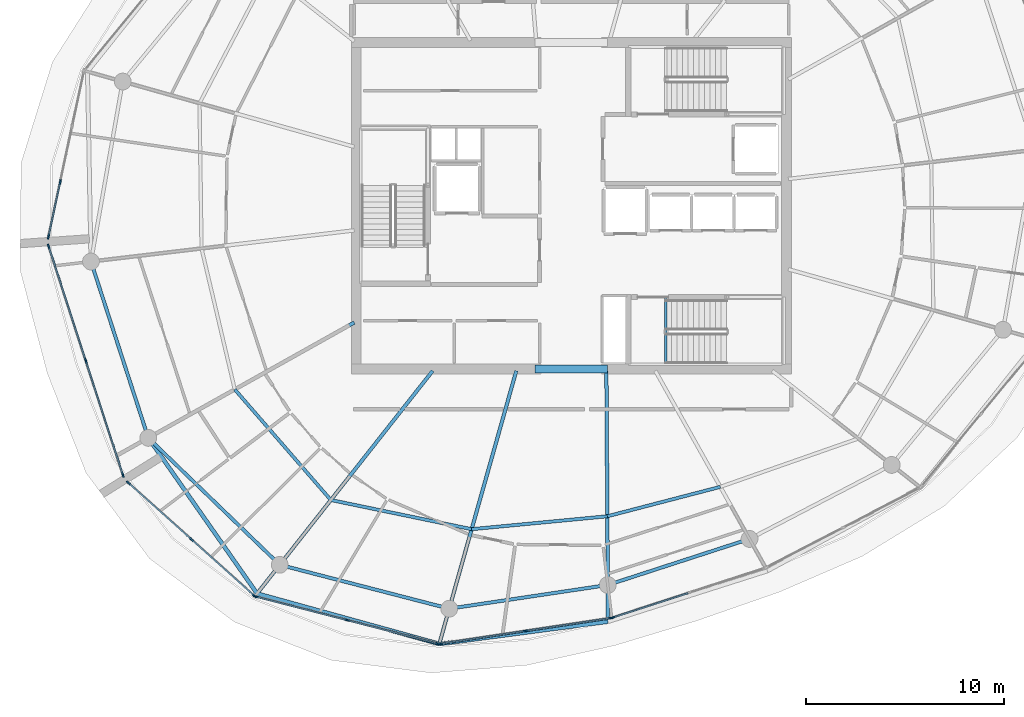
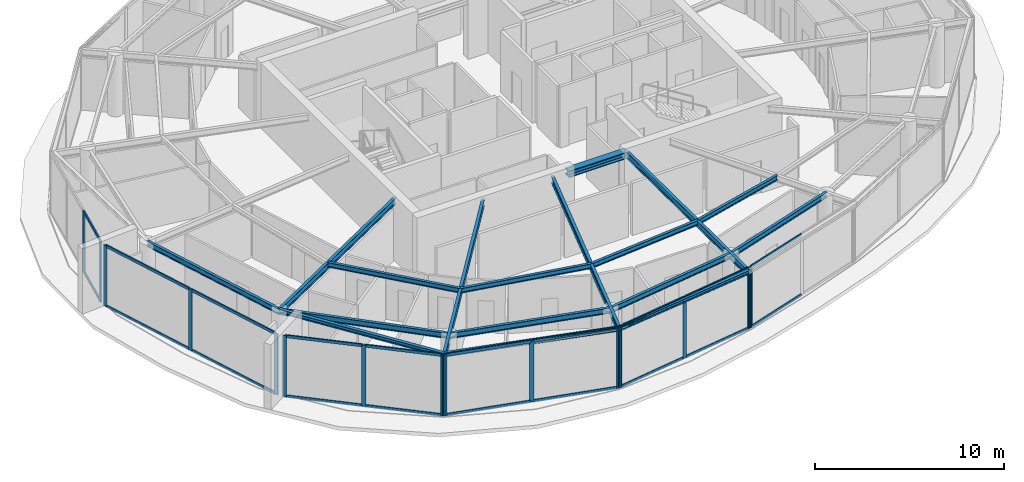
# One storey, part 5 of 16: 35 members, 18 beams, 6 elements without a shape of their own.
"""IFC4 building model written with IfcOpenShell, lengths in metres."""

from ifc_helpers import new_model, si_unit, direction, frame, origin, origin_2d, place, context, subcontext, project, spatial, rectangle, i_section, extrude, material, layer, layer_set, material_profile, profile_set, type_object, element, aggregate, save


model = new_model("IFC4")

# Units and contexts
model_context = context("Model", 3, precision=1e-05, world=origin(), true_north=direction((0.0, 1.0)))
body_context = subcontext(model_context, "Body", "Model", "MODEL_VIEW")
ifc_project = project(units=[si_unit("LENGTHUNIT", "METRE"), si_unit("AREAUNIT", "SQUARE_METRE"), si_unit("VOLUMEUNIT", "CUBIC_METRE"), si_unit("PLANEANGLEUNIT", "RADIAN"), si_unit("MASSUNIT", "GRAM", prefix="KILO")], contexts=[model_context])

# Site, building, storey
site_placement = place(None, origin())
site = spatial("IfcSite", under=ifc_project, at=site_placement, CompositionType="ELEMENT")
building_placement = place(site_placement, origin())
building = spatial("IfcBuilding", under=site, at=building_placement, Name="Kazma Halo Residences", CompositionType="ELEMENT")
storey_placement = place(building_placement, frame((0.0, 0.0, 313.699951171875)))
storey = spatial("IfcBuildingStorey", under=building, at=storey_placement, Name="L79", CompositionType="ELEMENT", Elevation=313.699951171875)

# Beams
ifc_material_1 = material(Name="Steel S355", Category="steel")
ifc_material_profile_1 = material_profile(ifc_material_1, i_section(OverallWidth=0.201904296875, OverallDepth=0.2470703125, WebThickness=0.00732421875, FlangeThickness=0.010986328125, FilletRadius=0.011962890625, at=origin_2d()), Name="W250x49.1")
ifc_profile_set_1 = profile_set([ifc_material_profile_1], Name="Steel S355")
beam_type_1 = type_object("IfcBeamType", Name="BM-BAL-CANT", PredefinedType="BEAM", material=ifc_profile_set_1)
beam_1_placement = place(storey_placement, frame((27.03662109375, 30.260009765625, 3.816650390625), z_axis=(0.572873629847, -0.819643705659, 0.0), x_axis=(0.819643705659, 0.572873629847, 0.0)))
element("IfcBeam", 1, at=beam_1_placement, inside=storey, type_object=beam_type_1, Name="L79 wave-balcony lead tie beam 09", PredefinedType="BEAM", context=body_context, shape_type="SweptSolid", body=[
    extrude(i_section(OverallWidth=0.201904296875, OverallDepth=0.2470703125, WebThickness=0.00732421875, FlangeThickness=0.010986328125, FilletRadius=0.011962890625, at=origin_2d()), origin(), (0.0, 0.0, 1.0), 9.6044921875),
])
beam_2_placement = place(storey_placement, frame((32.538818359375, 22.3876953125, 3.816650390625), z_axis=(0.96390336926, -0.266252314035, 0.0), x_axis=(0.266252314035, 0.96390336926, 0.0)))
element("IfcBeam", 2, at=beam_2_placement, inside=storey, type_object=beam_type_1, Name="L79 wave-balcony tie beam 10", PredefinedType="BEAM", context=body_context, shape_type="SweptSolid", body=[
    extrude(i_section(OverallWidth=0.201904296875, OverallDepth=0.2470703125, WebThickness=0.00732421875, FlangeThickness=0.010986328125, FilletRadius=0.011962890625, at=origin_2d()), origin(), (0.0, 0.0, 1.0), 9.557373046875),
])
beam_3_placement = place(storey_placement, frame((41.751220703125, 19.843017578125, 3.816650390625), z_axis=(0.991375702229, 0.13105043697, 0.0), x_axis=(-0.13105043697, 0.991375702229, 0.0)))
element("IfcBeam", 3, at=beam_3_placement, inside=storey, type_object=beam_type_1, Name="L79 wave-balcony tie beam 11", PredefinedType="BEAM", context=body_context, shape_type="SweptSolid", body=[
    extrude(i_section(OverallWidth=0.201904296875, OverallDepth=0.2470703125, WebThickness=0.00732421875, FlangeThickness=0.010986328125, FilletRadius=0.011962890625, at=origin_2d()), origin(), (0.0, 0.0, 1.0), 8.60498046875),
])
ifc_material_profile_2 = material_profile(ifc_material_1, i_section(OverallWidth=0.408935546875, OverallDepth=0.425048828125, WebThickness=0.03271484375, FlangeThickness=0.052490234375, FilletRadius=0.02001953125, at=origin_2d()), Name="W360x421")
ifc_profile_set_2 = profile_set([ifc_material_profile_2], Name="Steel S355")
beam_type_2 = type_object("IfcBeamType", Name="BM-CORE-W360H", PredefinedType="BEAM", material=ifc_profile_set_2)
beam_4_placement = place(storey_placement, frame((46.60009765625, 33.75, 3.7275390625), z_axis=(1.0, 0.0, 0.0), x_axis=(0.0, 1.0, 0.0)))
element("IfcBeam", 4, at=beam_4_placement, inside=storey, type_object=beam_type_2, Name="L79 core coupling beam S", PredefinedType="BEAM", context=body_context, shape_type="SweptSolid", body=[
    extrude(i_section(OverallWidth=0.408935546875, OverallDepth=0.425048828125, WebThickness=0.03271484375, FlangeThickness=0.052490234375, FilletRadius=0.02001953125, at=origin_2d()), origin(), (0.0, 0.0, 1.0), 3.64990234375),
])
ifc_material_profile_3 = material_profile(ifc_material_1, i_section(OverallWidth=0.177978515625, OverallDepth=0.406982421875, WebThickness=0.0078125, FlangeThickness=0.0126953125, FilletRadius=0.013916015625, at=origin_2d()), Name="W410x60")
ifc_profile_set_3 = profile_set([ifc_material_profile_3], Name="Steel S355")
beam_type_3 = type_object("IfcBeamType", Name="BM-RAD-W410", PredefinedType="BEAM", material=ifc_profile_set_3)
beam_5_placement = place(storey_placement, frame((37.449951171875, 36.091796875, 3.736572265625), z_axis=(-0.872494504737, -0.4886239241, 0.0), x_axis=(0.4886239241, -0.872494504737, 0.0)))
element("IfcBeam", 5, at=beam_5_placement, inside=storey, type_object=beam_type_3, Name="L79 radial floor beam 09", PredefinedType="BEAM", context=body_context, shape_type="SweptSolid", body=[
    extrude(i_section(OverallWidth=0.177978515625, OverallDepth=0.406982421875, WebThickness=0.0078125, FlangeThickness=0.0126953125, FilletRadius=0.013916015625, at=origin_2d()), origin(), (0.0, 0.0, 1.0), 11.93505859375),
])
beam_6_placement = place(storey_placement, frame((41.41748046875, 33.64990234375, 3.736572265625), z_axis=(-0.61910487104, -0.78530832076, 0.0), x_axis=(0.78530832076, -0.61910487104, 0.0)))
element("IfcBeam", 6, at=beam_6_placement, inside=storey, type_object=beam_type_3, Name="L79 radial floor beam 10", PredefinedType="BEAM", context=body_context, shape_type="SweptSolid", body=[
    extrude(i_section(OverallWidth=0.177978515625, OverallDepth=0.406982421875, WebThickness=0.0078125, FlangeThickness=0.0126953125, FilletRadius=0.013916015625, at=origin_2d()), origin(), (0.0, 0.0, 1.0), 14.341064453125),
])
beam_7_placement = place(storey_placement, frame((45.64501953125, 33.64990234375, 3.736572265625), z_axis=(-0.271431061075, -0.962457884317, 0.0), x_axis=(0.962457884317, -0.271431061075, 0.0)))
element("IfcBeam", 7, at=beam_7_placement, inside=storey, type_object=beam_type_3, Name="L79 radial floor beam 11", PredefinedType="BEAM", context=body_context, shape_type="SweptSolid", body=[
    extrude(i_section(OverallWidth=0.177978515625, OverallDepth=0.406982421875, WebThickness=0.0078125, FlangeThickness=0.0126953125, FilletRadius=0.013916015625, at=origin_2d()), origin(), (0.0, 0.0, 1.0), 14.345458984375),
])
beam_8_placement = place(storey_placement, frame((50.199951171875, 33.64990234375, 3.736572265625), z_axis=(0.006469614667, -0.999979071824, 0.0), x_axis=(0.999979071824, 0.006469614667, 0.0)))
element("IfcBeam", 8, at=beam_8_placement, inside=storey, type_object=beam_type_3, Name="L79 radial floor beam 12", PredefinedType="BEAM", context=body_context, shape_type="SweptSolid", body=[
    extrude(i_section(OverallWidth=0.177978515625, OverallDepth=0.406982421875, WebThickness=0.0078125, FlangeThickness=0.0126953125, FilletRadius=0.013916015625, at=origin_2d()), origin(), (0.0, 0.0, 1.0), 12.679443359375),
])
ifc_material_profile_4 = material_profile(ifc_material_1, i_section(OverallWidth=0.1650390625, OverallDepth=0.31005859375, WebThickness=0.005859375, FlangeThickness=0.009765625, FilletRadius=0.011962890625, at=origin_2d()), Name="W310x38.7")
ifc_profile_set_4 = profile_set([ifc_material_profile_4], Name="Steel S355")
beam_type_4 = type_object("IfcBeamType", Name="BM-SEC-W310B", PredefinedType="JOIST", material=ifc_profile_set_4)
beam_9_placement = place(storey_placement, frame((31.410400390625, 32.709228515625, 3.78515625), z_axis=(0.655826094878, -0.754912003664, 0.0), x_axis=(0.754912003664, 0.655826094878, 0.0)))
element("IfcBeam", 9, at=beam_9_placement, inside=storey, type_object=beam_type_4, Name="L79 circumferential floor joist 09", PredefinedType="JOIST", context=body_context, shape_type="SweptSolid", body=[
    extrude(i_section(OverallWidth=0.1650390625, OverallDepth=0.31005859375, WebThickness=0.005859375, FlangeThickness=0.009765625, FilletRadius=0.011962890625, at=origin_2d()), origin(), (0.0, 0.0, 1.0), 7.406494140625),
])
beam_10_placement = place(storey_placement, frame((36.267822265625, 27.117919921875, 3.78515625), z_axis=(0.979179702308, -0.202995346221, 0.0), x_axis=(0.202995346221, 0.979179702308, 0.0)))
element("IfcBeam", 10, at=beam_10_placement, inside=storey, type_object=beam_type_4, Name="L79 circumferential floor joist 10", PredefinedType="JOIST", context=body_context, shape_type="SweptSolid", body=[
    extrude(i_section(OverallWidth=0.1650390625, OverallDepth=0.31005859375, WebThickness=0.005859375, FlangeThickness=0.009765625, FilletRadius=0.011962890625, at=origin_2d()), origin(), (0.0, 0.0, 1.0), 7.270263671875),
])
beam_11_placement = place(storey_placement, frame((43.38671875, 25.64208984375, 3.78515625), z_axis=(0.99549005784, 0.094865930357, 0.0), x_axis=(-0.094865930357, 0.99549005784, 0.0)))
element("IfcBeam", 11, at=beam_11_placement, inside=storey, type_object=beam_type_4, Name="L79 circumferential floor joist 11", PredefinedType="JOIST", context=body_context, shape_type="SweptSolid", body=[
    extrude(i_section(OverallWidth=0.1650390625, OverallDepth=0.31005859375, WebThickness=0.005859375, FlangeThickness=0.009765625, FilletRadius=0.011962890625, at=origin_2d()), origin(), (0.0, 0.0, 1.0), 6.891845703125),
])
beam_12_placement = place(storey_placement, frame((50.24755859375, 26.2958984375, 3.78515625), z_axis=(0.967744924062, 0.251932058206, 0.0), x_axis=(-0.251932058206, 0.967744924062, 0.0)))
element("IfcBeam", 12, at=beam_12_placement, inside=storey, type_object=beam_type_4, Name="L79 circumferential floor joist 12", PredefinedType="JOIST", context=body_context, shape_type="SweptSolid", body=[
    extrude(i_section(OverallWidth=0.1650390625, OverallDepth=0.31005859375, WebThickness=0.005859375, FlangeThickness=0.009765625, FilletRadius=0.011962890625, at=origin_2d()), origin(), (0.0, 0.0, 1.0), 5.904541015625),
])
ifc_material_profile_5 = material_profile(ifc_material_1, i_section(OverallWidth=0.1708984375, OverallDepth=0.35498046875, WebThickness=0.007080078125, FlangeThickness=0.01171875, FilletRadius=0.013916015625, at=origin_2d()), Name="W360x51")
ifc_profile_set_5 = profile_set([ifc_material_profile_5], Name="Steel S355")
beam_type_5 = type_object("IfcBeamType", Name="BM-SPN-W360", PredefinedType="BEAM", material=ifc_profile_set_5)
beam_13_placement = place(storey_placement, frame((24.1396484375, 39.17578125, 3.762451171875), z_axis=(0.309023062674, -0.951054544564, 0.0), x_axis=(0.951054544564, 0.309023062674, 0.0)))
element("IfcBeam", 13, at=beam_13_placement, inside=storey, type_object=beam_type_5, Name="L79 perimeter ring beam 08", PredefinedType="BEAM", context=body_context, shape_type="SweptSolid", body=[
    extrude(i_section(OverallWidth=0.1708984375, OverallDepth=0.35498046875, WebThickness=0.007080078125, FlangeThickness=0.01171875, FilletRadius=0.013916015625, at=origin_2d()), origin(), (0.0, 0.0, 1.0), 9.37451171875),
])
beam_14_placement = place(storey_placement, frame((27.03662109375, 30.260009765625, 3.762451171875), z_axis=(0.71933681628, -0.694661460529, 0.0), x_axis=(0.694661460529, 0.71933681628, 0.0)))
element("IfcBeam", 14, at=beam_14_placement, inside=storey, type_object=beam_type_5, Name="L79 perimeter ring beam 09", PredefinedType="BEAM", context=body_context, shape_type="SweptSolid", body=[
    extrude(i_section(OverallWidth=0.1708984375, OverallDepth=0.35498046875, WebThickness=0.007080078125, FlangeThickness=0.01171875, FilletRadius=0.013916015625, at=origin_2d()), origin(), (0.0, 0.0, 1.0), 9.2412109375),
])
beam_15_placement = place(storey_placement, frame((33.68408203125, 23.840576171875, 3.762451171875), z_axis=(0.968124082793, -0.250471076805, 0.0), x_axis=(0.250471076805, 0.968124082793, 0.0)))
element("IfcBeam", 15, at=beam_15_placement, inside=storey, type_object=beam_type_5, Name="L79 perimeter ring beam 10", PredefinedType="BEAM", context=body_context, shape_type="SweptSolid", body=[
    extrude(i_section(OverallWidth=0.1708984375, OverallDepth=0.35498046875, WebThickness=0.007080078125, FlangeThickness=0.01171875, FilletRadius=0.013916015625, at=origin_2d()), origin(), (0.0, 0.0, 1.0), 8.8515625),
])
beam_16_placement = place(storey_placement, frame((42.25341796875, 21.62353515625, 3.762451171875), z_axis=(0.989030710595, 0.147710031817, 0.0), x_axis=(-0.147710031817, 0.989030710595, 0.0)))
element("IfcBeam", 16, at=beam_16_placement, inside=storey, type_object=beam_type_5, Name="L79 perimeter ring beam 11", PredefinedType="BEAM", context=body_context, shape_type="SweptSolid", body=[
    extrude(i_section(OverallWidth=0.1708984375, OverallDepth=0.35498046875, WebThickness=0.007080078125, FlangeThickness=0.01171875, FilletRadius=0.013916015625, at=origin_2d()), origin(), (0.0, 0.0, 1.0), 8.10546875),
])
beam_17_placement = place(storey_placement, frame((50.27001953125, 22.82080078125, 3.762451171875), z_axis=(0.951056684666, 0.309016476183, 0.0), x_axis=(-0.309016476183, 0.951056684666, 0.0)))
element("IfcBeam", 17, at=beam_17_placement, inside=storey, type_object=beam_type_5, Name="L79 perimeter ring beam 12", PredefinedType="BEAM", context=body_context, shape_type="SweptSolid", body=[
    extrude(i_section(OverallWidth=0.1708984375, OverallDepth=0.35498046875, WebThickness=0.007080078125, FlangeThickness=0.01171875, FilletRadius=0.013916015625, at=origin_2d()), origin(), (0.0, 0.0, 1.0), 7.53564453125),
])
ifc_material_profile_6 = material_profile(ifc_material_1, i_section(OverallWidth=0.133056640625, OverallDepth=0.20703125, WebThickness=0.005859375, FlangeThickness=0.00830078125, FilletRadius=0.010009765625, at=origin_2d()), Name="W200x26.6")
ifc_profile_set_6 = profile_set([ifc_material_profile_6], Name="Steel S355")
beam_type_6 = type_object("IfcBeamType", Name="BM-TRIM-W200", PredefinedType="BEAM", material=ifc_profile_set_6)
beam_18_placement = place(storey_placement, frame((53.199951171875, 34.0, -0.510009765625), z_axis=(0.0, 1.0, 0.0), x_axis=(-1.0, 0.0, 0.0)))
element("IfcBeam", 18, at=beam_18_placement, inside=storey, type_object=beam_type_6, Name="L79 ST-03 floor landing support beam", PredefinedType="BEAM", context=body_context, shape_type="SweptSolid", body=[
    extrude(i_section(OverallWidth=0.133056640625, OverallDepth=0.20703125, WebThickness=0.005859375, FlangeThickness=0.00830078125, FilletRadius=0.010009765625, at=origin_2d()), origin(), (0.0, 0.0, 1.0), 3.3798828125),
])

# Curtain wall, members
ifc_material_2 = material(Name="Aluminium AW-6063 T6 and Triple-Silver Low-E Glass", Category="aluminium")
ifc_layer = layer(ifc_material_2, 0.239990234375)
ifc_layer_set = layer_set([ifc_layer], Name="Aluminium AW-6063 T6 and Triple-Silver Low-E Glass")
curtain_wall_type = type_object("IfcCurtainWallType", Name="CW-SYS-6", PredefinedType="NOTDEFINED", material=ifc_layer_set)
curtain_wall_1_placement = place(storey_placement, origin())
curtain_wall_1 = element("IfcCurtainWall", 19, at=curtain_wall_1_placement, inside=storey, type_object=curtain_wall_type, Name="L79 unitised curtain wall B07", PredefinedType="NOTDEFINED")
ifc_material_3 = material(Name="Aluminium AW-6063 T6", Category="aluminium")
ifc_material_profile_7 = material_profile(ifc_material_3, rectangle(XDim=0.080078125, YDim=0.239990234375, at=origin_2d()), Name="CWM-80x240")
ifc_profile_set_7 = profile_set([ifc_material_profile_7], Name="Aluminium AW-6063 T6")
member_type_1 = type_object("IfcMemberType", Name="CW-SYS-6-MUL", PredefinedType="MULLION", material=ifc_profile_set_7)
member_1_placement = place(storey_placement, frame((22.58544921875, 43.19970703125, 0.0), z_axis=(0.0, 0.0, 1.0), x_axis=(0.977760865363, -0.209722888986, 0.0)))
member_1 = element("IfcMember", 20, at=member_1_placement, type_object=member_type_1, Name="CWS-6 mullion 3", PredefinedType="MULLION", context=body_context, shape_type="SweptSolid", body=[
    extrude(rectangle(XDim=0.080078125, YDim=0.239990234375, at=origin_2d()), origin(), (0.0, 0.0, 1.0), 3.93994140625),
])
member_2_placement = place(storey_placement, frame((21.990234375, 40.425048828125, 0.0), z_axis=(0.0, 0.0, 1.0), x_axis=(0.977760865363, -0.209722888986, 0.0)))
member_2 = element("IfcMember", 21, at=member_2_placement, type_object=member_type_1, Name="CWS-6 mullion 4", PredefinedType="MULLION", context=body_context, shape_type="SweptSolid", body=[
    extrude(rectangle(XDim=0.080078125, YDim=0.239990234375, at=origin_2d()), origin(), (0.0, 0.0, 1.0), 3.93994140625),
])

curtain_wall_2_placement = place(storey_placement, origin())
curtain_wall_2 = element("IfcCurtainWall", 22, at=curtain_wall_2_placement, inside=storey, type_object=curtain_wall_type, Name="L79 unitised curtain wall B08", PredefinedType="NOTDEFINED")
member_3_placement = place(storey_placement, frame((22.0009765625, 39.937744140625, 0.0), z_axis=(0.0, 0.0, 1.0), x_axis=(0.951055886462, 0.309018932797, 0.0)))
member_3 = element("IfcMember", 23, at=member_3_placement, type_object=member_type_1, Name="CWS-6 mullion 1", PredefinedType="MULLION", context=body_context, shape_type="SweptSolid", body=[
    extrude(rectangle(XDim=0.080078125, YDim=0.239990234375, at=origin_2d()), origin(), (0.0, 0.0, 1.0), 3.93994140625),
])
member_4_placement = place(storey_placement, frame((23.87744140625, 34.162109375, 0.0), z_axis=(0.0, 0.0, 1.0), x_axis=(0.951055886462, 0.309018932797, 0.0)))
member_4 = element("IfcMember", 24, at=member_4_placement, type_object=member_type_1, Name="CWS-6 mullion 2", PredefinedType="MULLION", context=body_context, shape_type="SweptSolid", body=[
    extrude(rectangle(XDim=0.080078125, YDim=0.239990234375, at=origin_2d()), origin(), (0.0, 0.0, 1.0), 3.93994140625),
])
member_5_placement = place(storey_placement, frame((25.754150390625, 28.38671875, 0.0), z_axis=(0.0, 0.0, 1.0), x_axis=(0.951055886462, 0.309018932797, 0.0)))
member_5 = element("IfcMember", 25, at=member_5_placement, type_object=member_type_1, Name="CWS-6 mullion 3", PredefinedType="MULLION", context=body_context, shape_type="SweptSolid", body=[
    extrude(rectangle(XDim=0.080078125, YDim=0.239990234375, at=origin_2d()), origin(), (0.0, 0.0, 1.0), 3.93994140625),
])

curtain_wall_3_placement = place(storey_placement, origin())
curtain_wall_3 = element("IfcCurtainWall", 26, at=curtain_wall_3_placement, inside=storey, type_object=curtain_wall_type, Name="L79 unitised curtain wall B09", PredefinedType="NOTDEFINED")
member_6_placement = place(storey_placement, frame((26.031982421875, 27.986083984375, 0.0), z_axis=(0.0, 0.0, 1.0), x_axis=(0.667757559118, 0.744378829791, 0.0)))
member_6 = element("IfcMember", 27, at=member_6_placement, type_object=member_type_1, Name="CWS-6 mullion 1", PredefinedType="MULLION", context=body_context, shape_type="SweptSolid", body=[
    extrude(rectangle(XDim=0.080078125, YDim=0.239990234375, at=origin_2d()), origin(), (0.0, 0.0, 1.0), 3.93994140625),
])
member_7_placement = place(storey_placement, frame((29.21533203125, 25.13037109375, 0.0), z_axis=(0.0, 0.0, 1.0), x_axis=(0.667757559118, 0.744378829791, 0.0)))
member_7 = element("IfcMember", 28, at=member_7_placement, type_object=member_type_1, Name="CWS-6 mullion 2", PredefinedType="MULLION", context=body_context, shape_type="SweptSolid", body=[
    extrude(rectangle(XDim=0.080078125, YDim=0.239990234375, at=origin_2d()), origin(), (0.0, 0.0, 1.0), 3.93994140625),
])
member_8_placement = place(storey_placement, frame((32.39892578125, 22.2744140625, 0.0), z_axis=(0.0, 0.0, 1.0), x_axis=(0.667757559118, 0.744378829791, 0.0)))
member_8 = element("IfcMember", 29, at=member_8_placement, type_object=member_type_1, Name="CWS-6 mullion 3", PredefinedType="MULLION", context=body_context, shape_type="SweptSolid", body=[
    extrude(rectangle(XDim=0.080078125, YDim=0.239990234375, at=origin_2d()), origin(), (0.0, 0.0, 1.0), 3.93994140625),
])

curtain_wall_4_placement = place(storey_placement, origin())
curtain_wall_4 = element("IfcCurtainWall", 30, at=curtain_wall_4_placement, inside=storey, type_object=curtain_wall_type, Name="L79 unitised curtain wall B10", PredefinedType="NOTDEFINED")
member_9_placement = place(storey_placement, frame((32.46728515625, 22.23779296875, 0.0), z_axis=(0.0, 0.0, 1.0), x_axis=(0.249445747416, 0.968388774768, 0.0)))
member_9 = element("IfcMember", 31, at=member_9_placement, type_object=member_type_1, Name="CWS-6 mullion 1", PredefinedType="MULLION", context=body_context, shape_type="SweptSolid", body=[
    extrude(rectangle(XDim=0.080078125, YDim=0.239990234375, at=origin_2d()), origin(), (0.0, 0.0, 1.0), 3.93994140625),
])
member_10_placement = place(storey_placement, frame((37.09033203125, 21.047119140625, 0.0), z_axis=(0.0, 0.0, 1.0), x_axis=(0.249445747416, 0.968388774768, 0.0)))
member_10 = element("IfcMember", 32, at=member_10_placement, type_object=member_type_1, Name="CWS-6 mullion 2", PredefinedType="MULLION", context=body_context, shape_type="SweptSolid", body=[
    extrude(rectangle(XDim=0.080078125, YDim=0.239990234375, at=origin_2d()), origin(), (0.0, 0.0, 1.0), 3.93994140625),
])
member_11_placement = place(storey_placement, frame((41.71337890625, 19.856201171875, 0.0), z_axis=(0.0, 0.0, 1.0), x_axis=(0.249445747416, 0.968388774768, 0.0)))
member_11 = element("IfcMember", 33, at=member_11_placement, type_object=member_type_1, Name="CWS-6 mullion 3", PredefinedType="MULLION", context=body_context, shape_type="SweptSolid", body=[
    extrude(rectangle(XDim=0.080078125, YDim=0.239990234375, at=origin_2d()), origin(), (0.0, 0.0, 1.0), 3.93994140625),
])

curtain_wall_5_placement = place(storey_placement, origin())
curtain_wall_5 = element("IfcCurtainWall", 34, at=curtain_wall_5_placement, inside=storey, type_object=curtain_wall_type, Name="L79 unitised curtain wall B11", PredefinedType="NOTDEFINED")
member_12_placement = place(storey_placement, frame((41.79150390625, 19.85205078125, 0.0), z_axis=(0.0, 0.0, 1.0), x_axis=(-0.148870876743, 0.988856643836, 0.0)))
member_12 = element("IfcMember", 35, at=member_12_placement, type_object=member_type_1, Name="CWS-6 mullion 1", PredefinedType="MULLION", context=body_context, shape_type="SweptSolid", body=[
    extrude(rectangle(XDim=0.080078125, YDim=0.239990234375, at=origin_2d()), origin(), (0.0, 0.0, 1.0), 3.93994140625),
])
member_13_placement = place(storey_placement, frame((46.109375, 20.502197265625, 0.0), z_axis=(0.0, 0.0, 1.0), x_axis=(-0.148870876743, 0.988856643836, 0.0)))
member_13 = element("IfcMember", 36, at=member_13_placement, type_object=member_type_1, Name="CWS-6 mullion 2", PredefinedType="MULLION", context=body_context, shape_type="SweptSolid", body=[
    extrude(rectangle(XDim=0.080078125, YDim=0.239990234375, at=origin_2d()), origin(), (0.0, 0.0, 1.0), 3.93994140625),
])
member_14_placement = place(storey_placement, frame((50.42724609375, 21.15234375, 0.0), z_axis=(0.0, 0.0, 1.0), x_axis=(-0.148870876743, 0.988856643836, 0.0)))
member_14 = element("IfcMember", 37, at=member_14_placement, type_object=member_type_1, Name="CWS-6 mullion 3", PredefinedType="MULLION", context=body_context, shape_type="SweptSolid", body=[
    extrude(rectangle(XDim=0.080078125, YDim=0.239990234375, at=origin_2d()), origin(), (0.0, 0.0, 1.0), 3.93994140625),
])

# Curtain wall, member
curtain_wall_6_placement = place(storey_placement, origin())
curtain_wall_6 = element("IfcCurtainWall", 38, at=curtain_wall_6_placement, inside=storey, type_object=curtain_wall_type, Name="L79 unitised curtain wall B12", PredefinedType="NOTDEFINED")
member_15_placement = place(storey_placement, frame((50.5048828125, 21.170654296875, 0.0), z_axis=(0.0, 0.0, 1.0), x_axis=(-0.309019800612, 0.951055604489, 0.0)))
member_15 = element("IfcMember", 39, at=member_15_placement, type_object=member_type_1, Name="CWS-6 mullion 1", PredefinedType="MULLION", context=body_context, shape_type="SweptSolid", body=[
    extrude(rectangle(XDim=0.080078125, YDim=0.239990234375, at=origin_2d()), origin(), (0.0, 0.0, 1.0), 3.93994140625),
])

# Member
ifc_material_profile_8 = material_profile(ifc_material_3, rectangle(XDim=0.080078125, YDim=0.179931640625, at=origin_2d()), Name="CWT-80x180")
ifc_profile_set_8 = profile_set([ifc_material_profile_8], Name="Aluminium AW-6063 T6")
member_type_2 = type_object("IfcMemberType", Name="CW-SYS-6-TRN", PredefinedType="USERDEFINED", material=ifc_profile_set_8)
member_16_placement = place(storey_placement, frame((22.5771484375, 43.16064453125, 0.0400390625), z_axis=(-0.209716499477, -0.977762235846, 0.0), x_axis=(0.977762235846, -0.209716499477, 0.0)))
member_16 = element("IfcMember", 40, at=member_16_placement, type_object=member_type_2, Name="CWS-6 transom 3.1", ObjectType="TRANSOM", PredefinedType="USERDEFINED", context=body_context, shape_type="SweptSolid", body=[
    extrude(rectangle(XDim=0.080078125, YDim=0.179931640625, at=origin_2d()), origin(), (0.0, 0.0, 1.0), 2.7578125),
])

member_17_placement = place(storey_placement, frame((22.5771484375, 43.16064453125, 3.900146484375), z_axis=(-0.209716499477, -0.977762235846, 0.0), x_axis=(0.977762235846, -0.209716499477, 0.0)))
member_17 = element("IfcMember", 41, at=member_17_placement, type_object=member_type_2, Name="CWS-6 transom 3.2", ObjectType="TRANSOM", PredefinedType="USERDEFINED", context=body_context, shape_type="SweptSolid", body=[
    extrude(rectangle(XDim=0.080078125, YDim=0.179931640625, at=origin_2d()), origin(), (0.0, 0.0, 1.0), 2.7578125),
])

aggregate(curtain_wall_1, [member_1, member_2, member_16, member_17])

member_18_placement = place(storey_placement, frame((22.013427734375, 39.899658203125, 0.0400390625), z_axis=(0.309007770724, -0.951059513191, 0.0), x_axis=(0.951059513191, 0.309007770724, 0.0)))
member_18 = element("IfcMember", 42, at=member_18_placement, type_object=member_type_2, Name="CWS-6 transom 1.1", ObjectType="TRANSOM", PredefinedType="USERDEFINED", context=body_context, shape_type="SweptSolid", body=[
    extrude(rectangle(XDim=0.080078125, YDim=0.179931640625, at=origin_2d()), origin(), (0.0, 0.0, 1.0), 5.99267578125),
])

member_19_placement = place(storey_placement, frame((22.013427734375, 39.899658203125, 3.900146484375), z_axis=(0.309007770724, -0.951059513191, 0.0), x_axis=(0.951059513191, 0.309007770724, 0.0)))
member_19 = element("IfcMember", 43, at=member_19_placement, type_object=member_type_2, Name="CWS-6 transom 1.2", ObjectType="TRANSOM", PredefinedType="USERDEFINED", context=body_context, shape_type="SweptSolid", body=[
    extrude(rectangle(XDim=0.080078125, YDim=0.179931640625, at=origin_2d()), origin(), (0.0, 0.0, 1.0), 5.99267578125),
])

member_20_placement = place(storey_placement, frame((23.889892578125, 34.1240234375, 0.0400390625), z_axis=(0.309019743831, -0.951055622938, 0.0), x_axis=(0.951055622938, 0.309019743831, 0.0)))
member_20 = element("IfcMember", 44, at=member_20_placement, type_object=member_type_2, Name="CWS-6 transom 2.1", ObjectType="TRANSOM", PredefinedType="USERDEFINED", context=body_context, shape_type="SweptSolid", body=[
    extrude(rectangle(XDim=0.080078125, YDim=0.179931640625, at=origin_2d()), origin(), (0.0, 0.0, 1.0), 5.992431640625),
])

member_21_placement = place(storey_placement, frame((23.889892578125, 34.1240234375, 3.900146484375), z_axis=(0.309019743831, -0.951055622938, 0.0), x_axis=(0.951055622938, 0.309019743831, 0.0)))
member_21 = element("IfcMember", 45, at=member_21_placement, type_object=member_type_2, Name="CWS-6 transom 2.2", ObjectType="TRANSOM", PredefinedType="USERDEFINED", context=body_context, shape_type="SweptSolid", body=[
    extrude(rectangle(XDim=0.080078125, YDim=0.179931640625, at=origin_2d()), origin(), (0.0, 0.0, 1.0), 5.992431640625),
])

aggregate(curtain_wall_2, [member_3, member_4, member_5, member_18, member_19, member_20, member_21])

member_22_placement = place(storey_placement, frame((26.061767578125, 27.95947265625, 0.0400390625), z_axis=(0.744349048391, -0.66779075627, 0.0), x_axis=(0.66779075627, 0.744349048391, 0.0)))
member_22 = element("IfcMember", 46, at=member_22_placement, type_object=member_type_2, Name="CWS-6 transom 1.1", ObjectType="TRANSOM", PredefinedType="USERDEFINED", context=body_context, shape_type="SweptSolid", body=[
    extrude(rectangle(XDim=0.080078125, YDim=0.179931640625, at=origin_2d()), origin(), (0.0, 0.0, 1.0), 4.19677734375),
])

member_23_placement = place(storey_placement, frame((26.061767578125, 27.95947265625, 3.900146484375), z_axis=(0.744349048391, -0.66779075627, 0.0), x_axis=(0.66779075627, 0.744349048391, 0.0)))
member_23 = element("IfcMember", 47, at=member_23_placement, type_object=member_type_2, Name="CWS-6 transom 1.2", ObjectType="TRANSOM", PredefinedType="USERDEFINED", context=body_context, shape_type="SweptSolid", body=[
    extrude(rectangle(XDim=0.080078125, YDim=0.179931640625, at=origin_2d()), origin(), (0.0, 0.0, 1.0), 4.19677734375),
])

member_24_placement = place(storey_placement, frame((29.2451171875, 25.103515625, 0.0400390625), z_axis=(0.744403905463, -0.667729605103, 0.0), x_axis=(0.667729605103, 0.744403905463, 0.0)))
member_24 = element("IfcMember", 48, at=member_24_placement, type_object=member_type_2, Name="CWS-6 transom 2.1", ObjectType="TRANSOM", PredefinedType="USERDEFINED", context=body_context, shape_type="SweptSolid", body=[
    extrude(rectangle(XDim=0.080078125, YDim=0.179931640625, at=origin_2d()), origin(), (0.0, 0.0, 1.0), 4.19677734375),
])

member_25_placement = place(storey_placement, frame((29.2451171875, 25.103515625, 3.900146484375), z_axis=(0.744403905463, -0.667729605103, 0.0), x_axis=(0.667729605103, 0.744403905463, 0.0)))
member_25 = element("IfcMember", 49, at=member_25_placement, type_object=member_type_2, Name="CWS-6 transom 2.2", ObjectType="TRANSOM", PredefinedType="USERDEFINED", context=body_context, shape_type="SweptSolid", body=[
    extrude(rectangle(XDim=0.080078125, YDim=0.179931640625, at=origin_2d()), origin(), (0.0, 0.0, 1.0), 4.19677734375),
])

aggregate(curtain_wall_3, [member_6, member_7, member_8, member_22, member_23, member_24, member_25])

member_26_placement = place(storey_placement, frame((32.506103515625, 22.227783203125, 0.0400390625), z_axis=(0.968386028801, -0.249456407462, 0.0), x_axis=(0.249456407462, 0.968386028801, 0.0)))
member_26 = element("IfcMember", 50, at=member_26_placement, type_object=member_type_2, Name="CWS-6 transom 1.1", ObjectType="TRANSOM", PredefinedType="USERDEFINED", context=body_context, shape_type="SweptSolid", body=[
    extrude(rectangle(XDim=0.080078125, YDim=0.179931640625, at=origin_2d()), origin(), (0.0, 0.0, 1.0), 4.69384765625),
])

member_27_placement = place(storey_placement, frame((32.506103515625, 22.227783203125, 3.900146484375), z_axis=(0.968386028801, -0.249456407462, 0.0), x_axis=(0.249456407462, 0.968386028801, 0.0)))
member_27 = element("IfcMember", 51, at=member_27_placement, type_object=member_type_2, Name="CWS-6 transom 1.2", ObjectType="TRANSOM", PredefinedType="USERDEFINED", context=body_context, shape_type="SweptSolid", body=[
    extrude(rectangle(XDim=0.080078125, YDim=0.179931640625, at=origin_2d()), origin(), (0.0, 0.0, 1.0), 4.69384765625),
])

member_28_placement = place(storey_placement, frame((37.129150390625, 21.037109375, 0.0400390625), z_axis=(0.968386028801, -0.249456407462, 0.0), x_axis=(0.249456407462, 0.968386028801, 0.0)))
member_28 = element("IfcMember", 52, at=member_28_placement, type_object=member_type_2, Name="CWS-6 transom 2.1", ObjectType="TRANSOM", PredefinedType="USERDEFINED", context=body_context, shape_type="SweptSolid", body=[
    extrude(rectangle(XDim=0.080078125, YDim=0.179931640625, at=origin_2d()), origin(), (0.0, 0.0, 1.0), 4.69384765625),
])

member_29_placement = place(storey_placement, frame((37.129150390625, 21.037109375, 3.900146484375), z_axis=(0.968386028801, -0.249456407462, 0.0), x_axis=(0.249456407462, 0.968386028801, 0.0)))
member_29 = element("IfcMember", 53, at=member_29_placement, type_object=member_type_2, Name="CWS-6 transom 2.2", ObjectType="TRANSOM", PredefinedType="USERDEFINED", context=body_context, shape_type="SweptSolid", body=[
    extrude(rectangle(XDim=0.080078125, YDim=0.179931640625, at=origin_2d()), origin(), (0.0, 0.0, 1.0), 4.69384765625),
])

aggregate(curtain_wall_4, [member_9, member_10, member_11, member_26, member_27, member_28, member_29])

member_30_placement = place(storey_placement, frame((41.8310546875, 19.858154296875, 0.0400390625), z_axis=(0.988855159078, 0.14888073873, 0.0), x_axis=(-0.14888073873, 0.988855159078, 0.0)))
member_30 = element("IfcMember", 54, at=member_30_placement, type_object=member_type_2, Name="CWS-6 transom 1.1", ObjectType="TRANSOM", PredefinedType="USERDEFINED", context=body_context, shape_type="SweptSolid", body=[
    extrude(rectangle(XDim=0.080078125, YDim=0.179931640625, at=origin_2d()), origin(), (0.0, 0.0, 1.0), 4.28662109375),
])

member_31_placement = place(storey_placement, frame((41.8310546875, 19.858154296875, 3.900146484375), z_axis=(0.988855159078, 0.14888073873, 0.0), x_axis=(-0.14888073873, 0.988855159078, 0.0)))
member_31 = element("IfcMember", 55, at=member_31_placement, type_object=member_type_2, Name="CWS-6 transom 1.2", ObjectType="TRANSOM", PredefinedType="USERDEFINED", context=body_context, shape_type="SweptSolid", body=[
    extrude(rectangle(XDim=0.080078125, YDim=0.179931640625, at=origin_2d()), origin(), (0.0, 0.0, 1.0), 4.28662109375),
])

member_32_placement = place(storey_placement, frame((46.14892578125, 20.508056640625, 0.0400390625), z_axis=(0.988855159078, 0.14888073873, 0.0), x_axis=(-0.14888073873, 0.988855159078, 0.0)))
member_32 = element("IfcMember", 56, at=member_32_placement, type_object=member_type_2, Name="CWS-6 transom 2.1", ObjectType="TRANSOM", PredefinedType="USERDEFINED", context=body_context, shape_type="SweptSolid", body=[
    extrude(rectangle(XDim=0.080078125, YDim=0.179931640625, at=origin_2d()), origin(), (0.0, 0.0, 1.0), 4.28662109375),
])

member_33_placement = place(storey_placement, frame((46.14892578125, 20.508056640625, 3.900146484375), z_axis=(0.988855159078, 0.14888073873, 0.0), x_axis=(-0.14888073873, 0.988855159078, 0.0)))
member_33 = element("IfcMember", 57, at=member_33_placement, type_object=member_type_2, Name="CWS-6 transom 2.2", ObjectType="TRANSOM", PredefinedType="USERDEFINED", context=body_context, shape_type="SweptSolid", body=[
    extrude(rectangle(XDim=0.080078125, YDim=0.179931640625, at=origin_2d()), origin(), (0.0, 0.0, 1.0), 4.28662109375),
])

aggregate(curtain_wall_5, [member_12, member_13, member_14, member_30, member_31, member_32, member_33])

member_34_placement = place(storey_placement, frame((50.54296875, 21.182861328125, 0.0400390625), z_axis=(0.951045805211, 0.309049957758, 0.0), x_axis=(-0.309049957758, 0.951045805211, 0.0)))
member_34 = element("IfcMember", 58, at=member_34_placement, type_object=member_type_2, Name="CWS-6 transom 1.1", ObjectType="TRANSOM", PredefinedType="USERDEFINED", context=body_context, shape_type="SweptSolid", body=[
    extrude(rectangle(XDim=0.080078125, YDim=0.179931640625, at=origin_2d()), origin(), (0.0, 0.0, 1.0), 3.974365234375),
])

member_35_placement = place(storey_placement, frame((50.54296875, 21.182861328125, 3.900146484375), z_axis=(0.951045805211, 0.309049957758, 0.0), x_axis=(-0.309049957758, 0.951045805211, 0.0)))
member_35 = element("IfcMember", 59, at=member_35_placement, type_object=member_type_2, Name="CWS-6 transom 1.2", ObjectType="TRANSOM", PredefinedType="USERDEFINED", context=body_context, shape_type="SweptSolid", body=[
    extrude(rectangle(XDim=0.080078125, YDim=0.179931640625, at=origin_2d()), origin(), (0.0, 0.0, 1.0), 3.974365234375),
])

aggregate(curtain_wall_6, [member_15, member_34, member_35])

save(model, "model.ifc")
